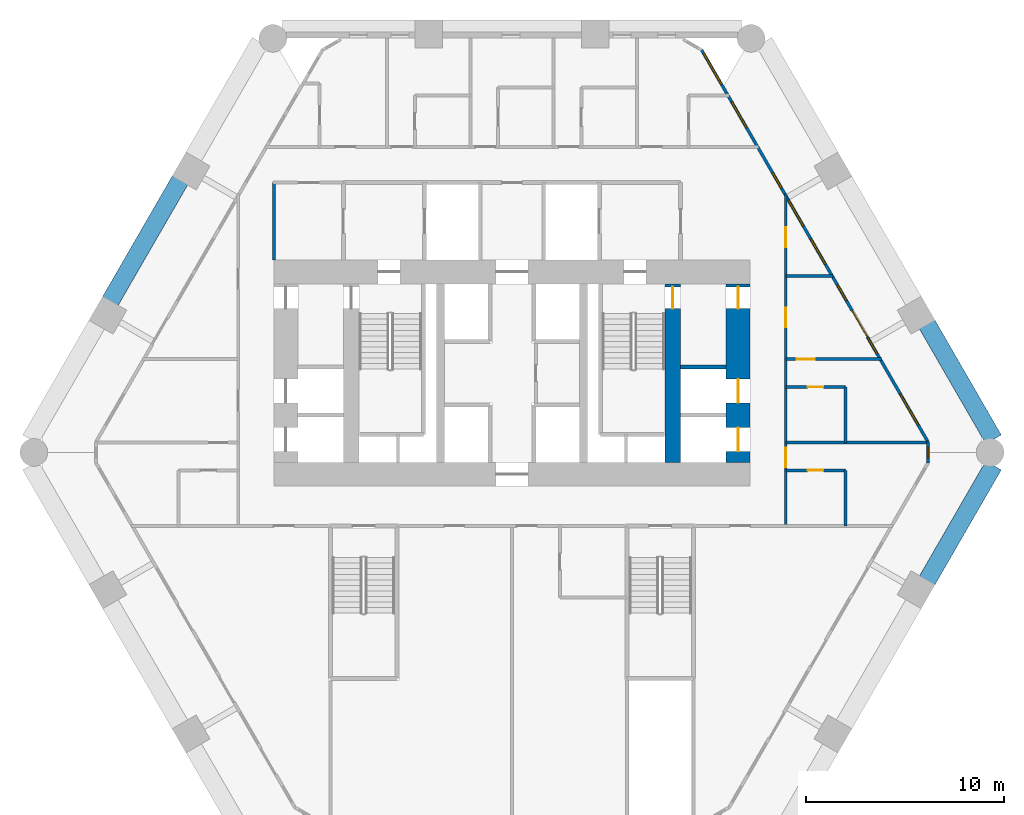
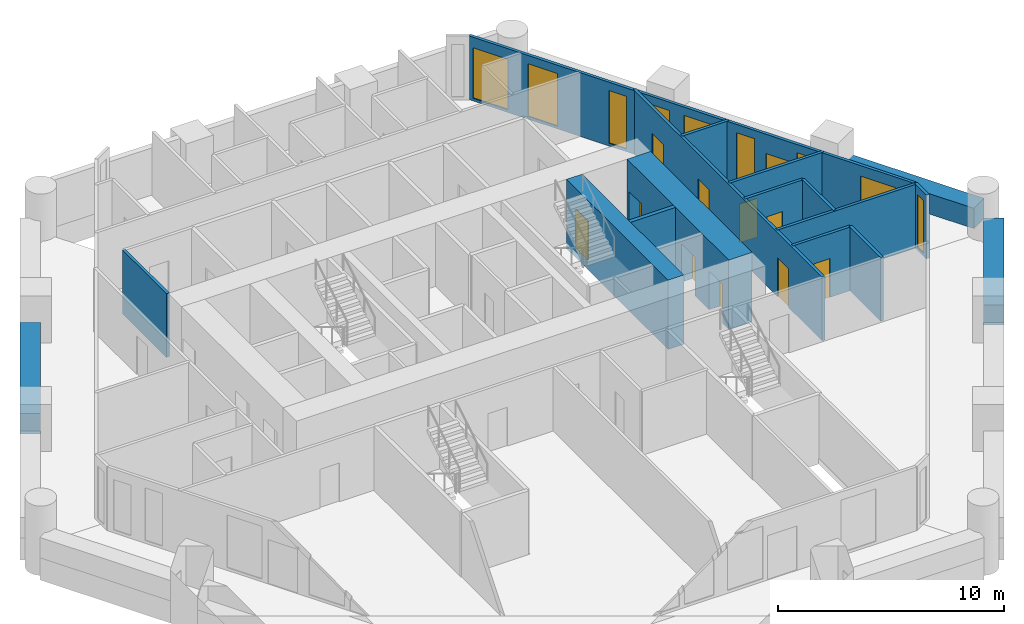
# One storey, part 5 of 8: 17 walls, 11 doors, 9 windows, 20 openings.
"""IFC4 building model written with IfcOpenShell, lengths in metres."""

from ifc_helpers import new_model, si_unit, direction, frame, frame_2d, origin, place, context, subcontext, project, spatial, rectangle, extrude, material, layer, layer_set, type_object, element, fill, save


model = new_model("IFC4")

# Units and contexts
model_context = context("Model", 3, precision=1e-05, world=origin(), true_north=direction((0.0, 1.0)))
body_context = subcontext(model_context, "Body", "Model", "MODEL_VIEW")
ifc_project = project(units=[si_unit("LENGTHUNIT", "METRE"), si_unit("AREAUNIT", "SQUARE_METRE"), si_unit("VOLUMEUNIT", "CUBIC_METRE"), si_unit("PLANEANGLEUNIT", "RADIAN"), si_unit("MASSUNIT", "GRAM", prefix="KILO")], contexts=[model_context])

# Site, building, storey
site_placement = place(None, origin())
site = spatial("IfcSite", under=ifc_project, at=site_placement, CompositionType="ELEMENT")
building_placement = place(site_placement, origin())
building = spatial("IfcBuilding", under=site, at=building_placement, Name="Ostrander Bayou Hotel Tower", CompositionType="ELEMENT")
storey_placement = place(building_placement, frame((0.0, 0.0, 31.75)))
storey = spatial("IfcBuildingStorey", under=building, at=storey_placement, Name="L07", CompositionType="ELEMENT", Elevation=31.75)

# Wall, openings, doors
ifc_material_1 = material(Name="Concrete f'c 70 MPa", Category="concrete")
ifc_layer_1 = layer(ifc_material_1, 1.199951171875)
ifc_layer_set_1 = layer_set([ifc_layer_1], Name="CW1 core wall 1200 mm f'c 70 MPa")
wall_type_1 = type_object("IfcWallType", Name="CW1 core wall 1200 mm f'c 70 MPa", PredefinedType="SHEAR", material=ifc_layer_set_1)
wall_1_placement = place(storey_placement, frame((11.39990234375, -0.5, -0.300048828125), z_axis=(0.0, 0.0, 1.0), x_axis=(0.0, 1.0, 0.0)))
wall_1 = element("IfcWall", 1, at=wall_1_placement, inside=storey, type_object=wall_type_1, Name="CW1 L07 RE", PredefinedType="SHEAR", context=body_context, shape_type="SweptSolid", body=[
    extrude(rectangle(XDim=9.0, YDim=1.199951171875, at=frame_2d((4.5, 0.0))), origin(), (0.0, 0.0, 1.0), 3.75),
])
opening_1_placement = place(wall_1_placement, frame((7.75, 0.0, 0.0)))
opening_1 = element("IfcOpeningElement", 2, at=opening_1_placement, cuts=wall_1, Name="Opening T06-018", PredefinedType="OPENING", context=body_context, shape_type="SweptSolid", body=[
    extrude(rectangle(XDim=1.10009765625, YDim=2.10009765625, at=frame_2d((0.550048828125, 1.050048828125))), frame((0.0, 0.60009765625, 0.0), z_axis=(0.0, -1.0, 0.0), x_axis=(1.0, 0.0, 0.0)), (0.0, 0.0, 1.0), 1.199951171875),
])
opening_2_placement = place(wall_1_placement, frame((0.550048828125, 0.0, 0.0)))
opening_2 = element("IfcOpeningElement", 3, at=opening_2_placement, cuts=wall_1, Name="Opening T06-019", PredefinedType="OPENING", context=body_context, shape_type="SweptSolid", body=[
    extrude(rectangle(XDim=1.199951171875, YDim=2.10009765625, at=frame_2d((0.60009765625, 1.050048828125))), frame((0.0, 0.60009765625, 0.0), z_axis=(0.0, -1.0, 0.0), x_axis=(1.0, 0.0, 0.0)), (0.0, 0.0, 1.0), 1.199951171875),
])
opening_3_placement = place(wall_1_placement, frame((3.0, 0.0, 0.0)))
opening_3 = element("IfcOpeningElement", 4, at=opening_3_placement, cuts=wall_1, Name="Opening T06-020", PredefinedType="OPENING", context=body_context, shape_type="SweptSolid", body=[
    extrude(rectangle(XDim=1.199951171875, YDim=2.10009765625, at=frame_2d((0.60009765625, 1.050048828125))), frame((0.0, 0.60009765625, 0.0), z_axis=(0.0, -1.0, 0.0), x_axis=(1.0, 0.0, 0.0)), (0.0, 0.0, 1.0), 1.199951171875),
])
ifc_material_2 = material(Name="Timber door leaf", Category="wood")
door_type_1 = type_object("IfcDoorType", Name="D5 stair door 1100 x 2100 mm, 90 minute", OperationType="SINGLE_SWING_LEFT", PredefinedType="DOOR", material=ifc_material_2)
door_1_placement = place(opening_1_placement, origin())
door_1 = element("IfcDoor", 5, at=door_1_placement, inside=storey, type_object=door_type_1, Name="dr:L07:018", OperationType="SINGLE_SWING_RIGHT", OverallHeight=2.10009765625, OverallWidth=1.10009765625, PredefinedType="DOOR", context=body_context, shape_type="SweptSolid", body=[
    extrude(rectangle(XDim=1.10009765625, YDim=2.10009765625, at=frame_2d((0.550048828125, 1.050048828125))), frame((0.0, 0.02490234375, 0.0), z_axis=(0.0, -1.0, 0.0), x_axis=(1.0, 0.0, 0.0)), (0.0, 0.0, 1.0), 0.050048828125),
])
fill(opening_1, door_1)
ifc_material_3 = material(Name="Stainless steel sliding door", Category="steel")
door_type_2 = type_object("IfcDoorType", Name="LD1 lift landing door 1200 x 2100 mm", OperationType="SINGLE_SWING_LEFT", PredefinedType="DOOR", material=ifc_material_3)
door_2_placement = place(opening_2_placement, origin())
door_2 = element("IfcDoor", 6, at=door_2_placement, inside=storey, type_object=door_type_2, Name="dr:L07:019", OperationType="SLIDING_TO_LEFT", OverallHeight=2.10009765625, OverallWidth=1.199951171875, PredefinedType="DOOR", context=body_context, shape_type="SweptSolid", body=[
    extrude(rectangle(XDim=1.199951171875, YDim=2.10009765625, at=frame_2d((0.60009765625, 1.050048828125))), frame((0.0, 0.02490234375, 0.0), z_axis=(0.0, -1.0, 0.0), x_axis=(1.0, 0.0, 0.0)), (0.0, 0.0, 1.0), 0.050048828125),
])
fill(opening_2, door_2)
door_3_placement = place(opening_3_placement, origin())
door_3 = element("IfcDoor", 7, at=door_3_placement, inside=storey, type_object=door_type_2, Name="dr:L07:020", OperationType="SLIDING_TO_LEFT", OverallHeight=2.10009765625, OverallWidth=1.199951171875, PredefinedType="DOOR", context=body_context, shape_type="SweptSolid", body=[
    extrude(rectangle(XDim=1.199951171875, YDim=2.10009765625, at=frame_2d((0.60009765625, 1.050048828125))), frame((0.0, 0.02490234375, 0.0), z_axis=(0.0, -1.0, 0.0), x_axis=(1.0, 0.0, 0.0)), (0.0, 0.0, 1.0), 0.050048828125),
])
fill(opening_3, door_3)

# Wall, opening, door
ifc_material_4 = material(Name="Concrete f'c 70 MPa", Category="concrete")
ifc_layer_2 = layer(ifc_material_4, 0.800048828125)
ifc_layer_set_2 = layer_set([ifc_layer_2], Name="CW2 core spine wall 800 mm f'c 70 MPa")
wall_type_2 = type_object("IfcWallType", Name="CW2 core spine wall 800 mm f'c 70 MPa", PredefinedType="SHEAR", material=ifc_layer_set_2)
wall_2_placement = place(storey_placement, frame((8.10009765625, -0.5, -0.300048828125), z_axis=(0.0, 0.0, 1.0), x_axis=(0.0, 1.0, 0.0)))
wall_2 = element("IfcWall", 8, at=wall_2_placement, inside=storey, type_object=wall_type_2, Name="CW2 L07 E", PredefinedType="SHEAR", context=body_context, shape_type="SweptSolid", body=[
    extrude(rectangle(XDim=9.0, YDim=0.800048828125, at=frame_2d((4.5, 0.0))), origin(), (0.0, 0.0, 1.0), 3.75),
])
opening_4_placement = place(wall_2_placement, frame((7.75, 0.0, 0.0)))
opening_4 = element("IfcOpeningElement", 9, at=opening_4_placement, cuts=wall_2, Name="Opening T06-006", PredefinedType="OPENING", context=body_context, shape_type="SweptSolid", body=[
    extrude(rectangle(XDim=1.10009765625, YDim=2.10009765625, at=frame_2d((0.550048828125, 1.050048828125))), frame((0.0, 0.39990234375, 0.0), z_axis=(0.0, -1.0, 0.0), x_axis=(1.0, 0.0, 0.0)), (0.0, 0.0, 1.0), 0.800048828125),
])
door_4_placement = place(opening_4_placement, origin())
door_4 = element("IfcDoor", 10, at=door_4_placement, inside=storey, type_object=door_type_1, Name="dr:L07:006", OperationType="SINGLE_SWING_LEFT", OverallHeight=2.10009765625, OverallWidth=1.10009765625, PredefinedType="DOOR", context=body_context, shape_type="SweptSolid", body=[
    extrude(rectangle(XDim=1.10009765625, YDim=2.10009765625, at=frame_2d((0.550048828125, 1.050048828125))), frame((0.0, 0.02490234375, 0.0), z_axis=(0.0, -1.0, 0.0), x_axis=(1.0, 0.0, 0.0)), (0.0, 0.0, 1.0), 0.050048828125),
])
fill(opening_4, door_4)

# Wall, openings, door, windows
ifc_material_5 = material(Name="Aluminium framed insulated wall", Category="aluminium")
ifc_layer_3 = layer(ifc_material_5, 0.14990234375)
ifc_layer_set_3 = layer_set([ifc_layer_3], Name="GW1 glass-line wall 150 mm")
wall_type_3 = type_object("IfcWallType", Name="GW1 glass-line wall 150 mm", PredefinedType="SOLIDWALL", material=ifc_layer_set_3)
wall_3_placement = place(storey_placement, frame((20.968017578125, 0.532470703125, 0.0), z_axis=(0.0, 0.0, 1.0), x_axis=(-0.500000010132, 0.866025397935, 0.0)))
wall_3 = element("IfcWall", 11, at=wall_3_placement, inside=storey, type_object=wall_type_3, Name="GW1 L07 NE 1", PredefinedType="SOLIDWALL", context=body_context, shape_type="SweptSolid", body=[
    extrude(rectangle(XDim=22.81689453125, YDim=0.14990234375, at=frame_2d((11.408447265625, 0.0))), origin(), (0.0, 0.0, 1.0), 3.449951171875),
])
opening_5_placement = place(wall_3_placement, frame((5.135986328125, 0.0, 0.14990234375)))
opening_5 = element("IfcOpeningElement", 12, at=opening_5_placement, cuts=wall_3, Name="Opening W15", PredefinedType="OPENING", context=body_context, shape_type="SweptSolid", body=[
    extrude(rectangle(XDim=0.89990234375, YDim=2.85009765625, at=frame_2d((0.449951171875, 1.425048828125))), frame((0.0, 0.074951171875, 0.0), z_axis=(0.0, -1.0, 0.0), x_axis=(1.0, 0.0, 0.0)), (0.0, 0.0, 1.0), 0.14990234375),
])
opening_6_placement = place(wall_3_placement, frame((6.122802734375, 0.0, 0.0)))
opening_6 = element("IfcOpeningElement", 13, at=opening_6_placement, cuts=wall_3, Name="Opening T06-808", PredefinedType="OPENING", context=body_context, shape_type="SweptSolid", body=[
    extrude(rectangle(XDim=1.5, YDim=2.39990234375, at=frame_2d((0.75, 1.199951171875))), frame((0.0, 0.074951171875, 0.0), z_axis=(0.0, -1.0, 0.0), x_axis=(1.0, 0.0, 0.0)), (0.0, 0.0, 1.0), 0.14990234375),
])
opening_7_placement = place(wall_3_placement, frame((8.222900390625, 0.0, 0.14990234375)))
opening_7 = element("IfcOpeningElement", 14, at=opening_7_placement, cuts=wall_3, Name="Opening W15", PredefinedType="OPENING", context=body_context, shape_type="SweptSolid", body=[
    extrude(rectangle(XDim=0.89990234375, YDim=2.85009765625, at=frame_2d((0.449951171875, 1.425048828125))), frame((0.0, 0.074951171875, 0.0), z_axis=(0.0, -1.0, 0.0), x_axis=(1.0, 0.0, 0.0)), (0.0, 0.0, 1.0), 0.14990234375),
])
opening_8_placement = place(wall_3_placement, frame((10.32275390625, 0.0, 0.14990234375)))
opening_8 = element("IfcOpeningElement", 15, at=opening_8_placement, cuts=wall_3, Name="Opening W11", PredefinedType="OPENING", context=body_context, shape_type="SweptSolid", body=[
    extrude(rectangle(XDim=1.5, YDim=2.85009765625, at=frame_2d((0.75, 1.425048828125))), frame((0.0, 0.074951171875, 0.0), z_axis=(0.0, -1.0, 0.0), x_axis=(1.0, 0.0, 0.0)), (0.0, 0.0, 1.0), 0.14990234375),
])
opening_9_placement = place(wall_3_placement, frame((14.763916015625, 0.0, 0.14990234375)))
opening_9 = element("IfcOpeningElement", 16, at=opening_9_placement, cuts=wall_3, Name="Opening W15", PredefinedType="OPENING", context=body_context, shape_type="SweptSolid", body=[
    extrude(rectangle(XDim=0.89990234375, YDim=2.85009765625, at=frame_2d((0.449951171875, 1.425048828125))), frame((0.0, 0.074951171875, 0.0), z_axis=(0.0, -1.0, 0.0), x_axis=(1.0, 0.0, 0.0)), (0.0, 0.0, 1.0), 0.14990234375),
])
opening_10_placement = place(wall_3_placement, frame((12.56396484375, 0.0, 0.14990234375)))
opening_10 = element("IfcOpeningElement", 17, at=opening_10_placement, cuts=wall_3, Name="Opening W11", PredefinedType="OPENING", context=body_context, shape_type="SweptSolid", body=[
    extrude(rectangle(XDim=1.5, YDim=2.85009765625, at=frame_2d((0.75, 1.425048828125))), frame((0.0, 0.074951171875, 0.0), z_axis=(0.0, -1.0, 0.0), x_axis=(1.0, 0.0, 0.0)), (0.0, 0.0, 1.0), 0.14990234375),
])
opening_11_placement = place(wall_3_placement, frame((18.293701171875, 0.0, 0.14990234375)))
opening_11 = element("IfcOpeningElement", 18, at=opening_11_placement, cuts=wall_3, Name="Opening W11", PredefinedType="OPENING", context=body_context, shape_type="SweptSolid", body=[
    extrude(rectangle(XDim=1.5, YDim=2.85009765625, at=frame_2d((0.75, 1.425048828125))), frame((0.0, 0.074951171875, 0.0), z_axis=(0.0, -1.0, 0.0), x_axis=(1.0, 0.0, 0.0)), (0.0, 0.0, 1.0), 0.14990234375),
])
opening_12_placement = place(wall_3_placement, frame((0.992919921875, 0.0, 0.14990234375)))
opening_12 = element("IfcOpeningElement", 19, at=opening_12_placement, cuts=wall_3, Name="Opening W1", PredefinedType="OPENING", context=body_context, shape_type="SweptSolid", body=[
    extrude(rectangle(XDim=1.800048828125, YDim=2.72998046875, at=frame_2d((0.89990234375, 1.364990234375))), frame((0.0, 0.074951171875, 0.0), z_axis=(0.0, -1.0, 0.0), x_axis=(1.0, 0.0, 0.0)), (0.0, 0.0, 1.0), 0.14990234375),
])
opening_13_placement = place(wall_3_placement, frame((20.81982421875, 0.0, 0.14990234375)))
opening_13 = element("IfcOpeningElement", 20, at=opening_13_placement, cuts=wall_3, Name="Opening W1", PredefinedType="OPENING", context=body_context, shape_type="SweptSolid", body=[
    extrude(rectangle(XDim=1.800048828125, YDim=2.72998046875, at=frame_2d((0.89990234375, 1.364990234375))), frame((0.0, 0.074951171875, 0.0), z_axis=(0.0, -1.0, 0.0), x_axis=(1.0, 0.0, 0.0)), (0.0, 0.0, 1.0), 0.14990234375),
])
ifc_material_6 = material(Name="Aluminium and clear glass", Category="aluminium")
door_type_3 = type_object("IfcDoorType", Name="SD1 sliding glass door 1500 mm, zone 1", OperationType="SLIDING_TO_LEFT", PredefinedType="DOOR", material=ifc_material_6)
door_5_placement = place(opening_6_placement, origin())
door_5 = element("IfcDoor", 21, at=door_5_placement, inside=storey, type_object=door_type_3, Name="SD1 L07 NE 2", OperationType="SLIDING_TO_RIGHT", OverallHeight=2.39990234375, OverallWidth=1.5, PredefinedType="DOOR", context=body_context, shape_type="SweptSolid", body=[
    extrude(rectangle(XDim=1.5, YDim=2.39990234375, at=frame_2d((0.75, 1.199951171875))), frame((0.0, 0.02490234375, 0.0), z_axis=(0.0, -1.0, 0.0), x_axis=(1.0, 0.0, 0.0)), (0.0, 0.0, 1.0), 0.050048828125),
])
fill(opening_6, door_5)
ifc_material_7 = material(Name="Aluminium and clear glass", Category="aluminium")
window_type_1 = type_object("IfcWindowType", Name="W1 fixed window 1800 mm, zone 1", PartitioningType="SINGLE_PANEL", PredefinedType="WINDOW", material=ifc_material_7)
window_1_placement = place(opening_12_placement, origin())
window_1 = element("IfcWindow", 22, at=window_1_placement, inside=storey, type_object=window_type_1, Name="W1 L07 NE E11", OverallHeight=2.72998046875, OverallWidth=1.800048828125, PartitioningType="SINGLE_PANEL", PredefinedType="WINDOW", context=body_context, shape_type="SweptSolid", body=[
    extrude(rectangle(XDim=1.800048828125, YDim=2.72998046875, at=frame_2d((0.89990234375, 1.364990234375))), frame((0.0, 0.030029296875, 0.0), z_axis=(0.0, -1.0, 0.0), x_axis=(1.0, 0.0, 0.0)), (0.0, 0.0, 1.0), 0.06005859375),
])
fill(opening_12, window_1)
window_2_placement = place(opening_13_placement, origin())
window_2 = element("IfcWindow", 23, at=window_2_placement, inside=storey, type_object=window_type_1, Name="W1 L07 NE E21", OverallHeight=2.72998046875, OverallWidth=1.800048828125, PartitioningType="SINGLE_PANEL", PredefinedType="WINDOW", context=body_context, shape_type="SweptSolid", body=[
    extrude(rectangle(XDim=1.800048828125, YDim=2.72998046875, at=frame_2d((0.89990234375, 1.364990234375))), frame((0.0, 0.030029296875, 0.0), z_axis=(0.0, -1.0, 0.0), x_axis=(1.0, 0.0, 0.0)), (0.0, 0.0, 1.0), 0.06005859375),
])
fill(opening_13, window_2)
ifc_material_8 = material(Name="Aluminium and clear glass", Category="aluminium")
window_type_2 = type_object("IfcWindowType", Name="W11 fixed window 1500 mm, bath bay, zone 1", PartitioningType="SINGLE_PANEL", PredefinedType="WINDOW", material=ifc_material_8)
window_3_placement = place(opening_8_placement, origin())
window_3 = element("IfcWindow", 24, at=window_3_placement, inside=storey, type_object=window_type_2, Name="W11 L07 NE 3", OverallHeight=2.85009765625, OverallWidth=1.5, PartitioningType="SINGLE_PANEL", PredefinedType="WINDOW", context=body_context, shape_type="SweptSolid", body=[
    extrude(rectangle(XDim=1.5, YDim=2.85009765625, at=frame_2d((0.75, 1.425048828125))), frame((0.0, 0.030029296875, 0.0), z_axis=(0.0, -1.0, 0.0), x_axis=(1.0, 0.0, 0.0)), (0.0, 0.0, 1.0), 0.06005859375),
])
fill(opening_8, window_3)
window_4_placement = place(opening_10_placement, origin())
window_4 = element("IfcWindow", 25, at=window_4_placement, inside=storey, type_object=window_type_2, Name="W11 L07 NE 4", OverallHeight=2.85009765625, OverallWidth=1.5, PartitioningType="SINGLE_PANEL", PredefinedType="WINDOW", context=body_context, shape_type="SweptSolid", body=[
    extrude(rectangle(XDim=1.5, YDim=2.85009765625, at=frame_2d((0.75, 1.425048828125))), frame((0.0, 0.030029296875, 0.0), z_axis=(0.0, -1.0, 0.0), x_axis=(1.0, 0.0, 0.0)), (0.0, 0.0, 1.0), 0.06005859375),
])
fill(opening_10, window_4)
window_5_placement = place(opening_11_placement, origin())
window_5 = element("IfcWindow", 26, at=window_5_placement, inside=storey, type_object=window_type_2, Name="W11 L07 NE 5", OverallHeight=2.85009765625, OverallWidth=1.5, PartitioningType="SINGLE_PANEL", PredefinedType="WINDOW", context=body_context, shape_type="SweptSolid", body=[
    extrude(rectangle(XDim=1.5, YDim=2.85009765625, at=frame_2d((0.75, 1.425048828125))), frame((0.0, 0.030029296875, 0.0), z_axis=(0.0, -1.0, 0.0), x_axis=(1.0, 0.0, 0.0)), (0.0, 0.0, 1.0), 0.06005859375),
])
fill(opening_11, window_5)
ifc_material_9 = material(Name="Aluminium and clear glass", Category="aluminium")
window_type_3 = type_object("IfcWindowType", Name="W15 window 900 mm, zone 1", PartitioningType="SINGLE_PANEL", PredefinedType="WINDOW", material=ifc_material_9)
window_6_placement = place(opening_5_placement, origin())
window_6 = element("IfcWindow", 27, at=window_6_placement, inside=storey, type_object=window_type_3, Name="W15 L07 NE 2", OverallHeight=2.85009765625, OverallWidth=0.89990234375, PartitioningType="SINGLE_PANEL", PredefinedType="WINDOW", context=body_context, shape_type="SweptSolid", body=[
    extrude(rectangle(XDim=0.89990234375, YDim=2.85009765625, at=frame_2d((0.449951171875, 1.425048828125))), frame((0.0, 0.030029296875, 0.0), z_axis=(0.0, -1.0, 0.0), x_axis=(1.0, 0.0, 0.0)), (0.0, 0.0, 1.0), 0.06005859375),
])
fill(opening_5, window_6)
window_7_placement = place(opening_7_placement, origin())
window_7 = element("IfcWindow", 28, at=window_7_placement, inside=storey, type_object=window_type_3, Name="W15 L07 NE 3", OverallHeight=2.85009765625, OverallWidth=0.89990234375, PartitioningType="SINGLE_PANEL", PredefinedType="WINDOW", context=body_context, shape_type="SweptSolid", body=[
    extrude(rectangle(XDim=0.89990234375, YDim=2.85009765625, at=frame_2d((0.449951171875, 1.425048828125))), frame((0.0, 0.030029296875, 0.0), z_axis=(0.0, -1.0, 0.0), x_axis=(1.0, 0.0, 0.0)), (0.0, 0.0, 1.0), 0.06005859375),
])
fill(opening_7, window_7)
window_8_placement = place(opening_9_placement, origin())
window_8 = element("IfcWindow", 29, at=window_8_placement, inside=storey, type_object=window_type_3, Name="W15 L07 NE 4", OverallHeight=2.85009765625, OverallWidth=0.89990234375, PartitioningType="SINGLE_PANEL", PredefinedType="WINDOW", context=body_context, shape_type="SweptSolid", body=[
    extrude(rectangle(XDim=0.89990234375, YDim=2.85009765625, at=frame_2d((0.449951171875, 1.425048828125))), frame((0.0, 0.030029296875, 0.0), z_axis=(0.0, -1.0, 0.0), x_axis=(1.0, 0.0, 0.0)), (0.0, 0.0, 1.0), 0.06005859375),
])
fill(opening_9, window_8)

# Wall, opening, window
wall_4_placement = place(storey_placement, frame((20.968017578125, -0.532470703125, 0.0), z_axis=(0.0, 0.0, 1.0), x_axis=(0.0, 1.0, 0.0)))
wall_4 = element("IfcWall", 30, at=wall_4_placement, inside=storey, type_object=wall_type_3, Name="GW1 L07 corner 5", PredefinedType="SOLIDWALL", context=body_context, shape_type="SweptSolid", body=[
    extrude(rectangle(XDim=1.06494140625, YDim=0.14990234375, at=frame_2d((0.532470703125, 0.0))), origin(), (0.0, 0.0, 1.0), 3.449951171875),
])
opening_14_placement = place(wall_4_placement, frame((0.257568359375, 0.0, 0.14990234375)))
opening_14 = element("IfcOpeningElement", 31, at=opening_14_placement, cuts=wall_4, Name="Opening W19", PredefinedType="OPENING", context=body_context, shape_type="SweptSolid", body=[
    extrude(rectangle(XDim=0.550048828125, YDim=2.85009765625, at=frame_2d((0.27490234375, 1.425048828125))), frame((0.0, 0.074951171875, 0.0), z_axis=(0.0, -1.0, 0.0), x_axis=(1.0, 0.0, 0.0)), (0.0, 0.0, 1.0), 0.14990234375),
])
ifc_material_10 = material(Name="Aluminium and clear glass", Category="aluminium")
window_type_4 = type_object("IfcWindowType", Name="W19 corner window 550 mm", PartitioningType="SINGLE_PANEL", PredefinedType="WINDOW", material=ifc_material_10)
window_9_placement = place(opening_14_placement, origin())
window_9 = element("IfcWindow", 32, at=window_9_placement, inside=storey, type_object=window_type_4, Name="W19 L07 corner 5", OverallHeight=2.85009765625, OverallWidth=0.550048828125, PartitioningType="SINGLE_PANEL", PredefinedType="WINDOW", context=body_context, shape_type="SweptSolid", body=[
    extrude(rectangle(XDim=0.550048828125, YDim=2.85009765625, at=frame_2d((0.27490234375, 1.425048828125))), frame((0.0, 0.030029296875, 0.0), z_axis=(0.0, -1.0, 0.0), x_axis=(1.0, 0.0, 0.0)), (0.0, 0.0, 1.0), 0.06005859375),
])
fill(opening_14, window_9)

# Walls
ifc_material_11 = material(Name="Concrete f'c 40 MPa", Category="concrete")
ifc_layer_4 = layer(ifc_material_11, 0.89990234375)
ifc_layer_set_4 = layer_set([ifc_layer_4], Name="PA1 stone-faced parapet 900 mm")
wall_type_4 = type_object("IfcWallType", Name="PA1 stone-faced parapet 900 mm", PredefinedType="PARAPET", material=ifc_layer_set_4)
wall_5_placement = place(storey_placement, frame((-16.726806640625, 13.72802734375, 0.0), z_axis=(0.0, 0.0, 1.0), x_axis=(-0.499997206141, -0.866027016814, 0.0)))
element("IfcWall", 33, at=wall_5_placement, inside=storey, type_object=wall_type_4, Name="PA1 L07 NW-2", PredefinedType="PARAPET", context=body_context, shape_type="SweptSolid", body=[
    extrude(rectangle(XDim=7.05078125, YDim=0.89990234375, at=frame_2d((3.525390625, 0.0))), origin(), (0.0, 0.0, 1.0), 1.10009765625),
])
wall_6_placement = place(storey_placement, frame((24.274169921875, 0.656005859375, 0.0), z_axis=(0.0, 0.0, 1.0), x_axis=(-0.500005133765, 0.866022439784, 0.0)))
element("IfcWall", 34, at=wall_6_placement, inside=storey, type_object=wall_type_4, Name="PA1 L07 NE-1", PredefinedType="PARAPET", context=body_context, shape_type="SweptSolid", body=[
    extrude(rectangle(XDim=6.70361328125, YDim=0.89990234375, at=frame_2d((3.351806640625, 0.0))), origin(), (0.0, 0.0, 1.0), 1.10009765625),
])
ifc_material_12 = material(Name="Limestone masonry", Category="masonry")
ifc_layer_5 = layer(ifc_material_12, 0.89990234375)
ifc_layer_set_5 = layer_set([ifc_layer_5], Name="PA2 limestone parapet 900 mm")
wall_type_5 = type_object("IfcWallType", Name="PA2 limestone parapet 900 mm", PredefinedType="PARAPET", material=ifc_layer_set_5)
wall_7_placement = place(storey_placement, frame((20.92236328125, -6.46142578125, 0.0), z_axis=(0.0, 0.0, 1.0), x_axis=(0.500005133765, 0.866022439784, 0.0)))
element("IfcWall", 35, at=wall_7_placement, inside=storey, type_object=wall_type_5, Name="PA2 L07 SE-3", PredefinedType="PARAPET", context=body_context, shape_type="SweptSolid", body=[
    extrude(rectangle(XDim=6.70361328125, YDim=0.89990234375, at=frame_2d((3.351806640625, 0.0))), origin(), (0.0, 0.0, 1.0), 1.10009765625),
])
ifc_material_13 = material(Name="Masonry block", Category="masonry")
ifc_layer_6 = layer(ifc_material_13, 0.199951171875)
ifc_layer_set_6 = layer_set([ifc_layer_6], Name="PT6 lift shaft wall 200 mm masonry, 2 hour")
wall_type_6 = type_object("IfcWallType", Name="PT6 lift shaft wall 200 mm masonry, 2 hour", PredefinedType="PARTITIONING", material=ifc_layer_set_6)
wall_8_placement = place(storey_placement, frame((8.5, 4.300048828125, 0.0), z_axis=(0.0, 0.0, 1.0), x_axis=(1.0, 0.0, 0.0)))
element("IfcWall", 36, at=wall_8_placement, inside=storey, type_object=wall_type_6, Name="cs:L07:036", PredefinedType="PARTITIONING", context=body_context, shape_type="SweptSolid", body=[
    extrude(rectangle(XDim=2.300048828125, YDim=0.199951171875, at=frame_2d((1.14990234375, 0.0))), origin(), (0.0, 0.0, 1.0), 3.449951171875),
])

# Wall, opening, door
ifc_material_14 = material(Name="Gypsum board partition", Category="finish")
ifc_layer_7 = layer(ifc_material_14, 0.14990234375)
ifc_layer_set_7 = layer_set([ifc_layer_7], Name="PT8 service band wall 150 mm, 1 hour")
wall_type_7 = type_object("IfcWallType", Name="PT8 service band wall 150 mm, 1 hour", PredefinedType="PARTITIONING", material=ifc_layer_set_7)
wall_9_placement = place(storey_placement, frame((13.800048828125, -0.89990234375, 0.0), z_axis=(0.0, 0.0, 1.0), x_axis=(1.0, 0.0, 0.0)))
wall_9 = element("IfcWall", 37, at=wall_9_placement, inside=storey, type_object=wall_type_7, Name="gw:L07:006", PredefinedType="PARTITIONING", context=body_context, shape_type="SweptSolid", body=[
    extrude(rectangle(XDim=3.0, YDim=0.14990234375, at=frame_2d((1.5, 0.0))), origin(), (0.0, 0.0, 1.0), 3.449951171875),
])
opening_15_placement = place(wall_9_placement, frame((1.10009765625, 0.0, 0.0)))
opening_15 = element("IfcOpeningElement", 38, at=opening_15_placement, cuts=wall_9, Name="Opening T06-410", PredefinedType="OPENING", context=body_context, shape_type="SweptSolid", body=[
    extrude(rectangle(XDim=0.800048828125, YDim=2.10009765625, at=frame_2d((0.39990234375, 1.050048828125))), frame((0.0, 0.074951171875, 0.0), z_axis=(0.0, -1.0, 0.0), x_axis=(1.0, 0.0, 0.0)), (0.0, 0.0, 1.0), 0.14990234375),
])
ifc_material_15 = material(Name="Timber door leaf", Category="wood")
door_type_4 = type_object("IfcDoorType", Name="D2 bathroom door 800 x 2100 mm", OperationType="SINGLE_SWING_LEFT", PredefinedType="DOOR", material=ifc_material_15)
door_6_placement = place(opening_15_placement, origin())
door_6 = element("IfcDoor", 39, at=door_6_placement, inside=storey, type_object=door_type_4, Name="dr:L07:410", OperationType="SINGLE_SWING_LEFT", OverallHeight=2.10009765625, OverallWidth=0.800048828125, PredefinedType="DOOR", context=body_context, shape_type="SweptSolid", body=[
    extrude(rectangle(XDim=0.800048828125, YDim=2.10009765625, at=frame_2d((0.39990234375, 1.050048828125))), frame((0.0, 0.02490234375, 0.0), z_axis=(0.0, -1.0, 0.0), x_axis=(1.0, 0.0, 0.0)), (0.0, 0.0, 1.0), 0.050048828125),
])
fill(opening_15, door_6)

# Wall
wall_10_placement = place(storey_placement, frame((13.800048828125, 0.5, 0.0), z_axis=(0.0, 0.0, 1.0), x_axis=(1.0, 0.0, 0.0)))
element("IfcWall", 40, at=wall_10_placement, inside=storey, type_object=wall_type_7, Name="gw:L07:008", PredefinedType="PARTITIONING", context=body_context, shape_type="SweptSolid", body=[
    extrude(rectangle(XDim=7.18603515625, YDim=0.14990234375, at=frame_2d((3.593017578125, 0.0))), origin(), (0.0, 0.0, 1.0), 3.449951171875),
])

# Wall, opening, door
wall_11_placement = place(storey_placement, frame((13.800048828125, 3.300048828125, 0.0), z_axis=(0.0, 0.0, 1.0), x_axis=(1.0, 0.0, 0.0)))
wall_11 = element("IfcWall", 41, at=wall_11_placement, inside=storey, type_object=wall_type_7, Name="gw:L07:009", PredefinedType="PARTITIONING", context=body_context, shape_type="SweptSolid", body=[
    extrude(rectangle(XDim=3.0, YDim=0.14990234375, at=frame_2d((1.5, 0.0))), origin(), (0.0, 0.0, 1.0), 3.449951171875),
])
opening_16_placement = place(wall_11_placement, frame((1.10009765625, 0.0, 0.0)))
opening_16 = element("IfcOpeningElement", 42, at=opening_16_placement, cuts=wall_11, Name="Opening T06-413", PredefinedType="OPENING", context=body_context, shape_type="SweptSolid", body=[
    extrude(rectangle(XDim=0.800048828125, YDim=2.10009765625, at=frame_2d((0.39990234375, 1.050048828125))), frame((0.0, 0.074951171875, 0.0), z_axis=(0.0, -1.0, 0.0), x_axis=(1.0, 0.0, 0.0)), (0.0, 0.0, 1.0), 0.14990234375),
])
door_7_placement = place(opening_16_placement, origin())
door_7 = element("IfcDoor", 43, at=door_7_placement, inside=storey, type_object=door_type_4, Name="dr:L07:413", OperationType="SINGLE_SWING_LEFT", OverallHeight=2.10009765625, OverallWidth=0.800048828125, PredefinedType="DOOR", context=body_context, shape_type="SweptSolid", body=[
    extrude(rectangle(XDim=0.800048828125, YDim=2.10009765625, at=frame_2d((0.39990234375, 1.050048828125))), frame((0.0, 0.02490234375, 0.0), z_axis=(0.0, -1.0, 0.0), x_axis=(1.0, 0.0, 0.0)), (0.0, 0.0, 1.0), 0.050048828125),
])
fill(opening_16, door_7)

wall_12_placement = place(storey_placement, frame((13.800048828125, 4.699951171875, 0.0), z_axis=(0.0, 0.0, 1.0), x_axis=(1.0, 0.0, 0.0)))
wall_12 = element("IfcWall", 44, at=wall_12_placement, inside=storey, type_object=wall_type_7, Name="gw:L07:011", PredefinedType="PARTITIONING", context=body_context, shape_type="SweptSolid", body=[
    extrude(rectangle(XDim=4.81396484375, YDim=0.14990234375, at=frame_2d((2.406982421875, 0.0))), origin(), (0.0, 0.0, 1.0), 3.449951171875),
])
opening_17_placement = place(wall_12_placement, frame((0.550048828125, 0.0, 0.0)))
opening_17 = element("IfcOpeningElement", 45, at=opening_17_placement, cuts=wall_12, Name="Opening T06-412", PredefinedType="OPENING", context=body_context, shape_type="SweptSolid", body=[
    extrude(rectangle(XDim=0.89990234375, YDim=2.10009765625, at=frame_2d((0.449951171875, 1.050048828125))), frame((0.0, 0.074951171875, 0.0), z_axis=(0.0, -1.0, 0.0), x_axis=(1.0, 0.0, 0.0)), (0.0, 0.0, 1.0), 0.14990234375),
])
ifc_material_16 = material(Name="Timber door leaf", Category="wood")
door_type_5 = type_object("IfcDoorType", Name="D8 room door 900 x 2100 mm", OperationType="SINGLE_SWING_LEFT", PredefinedType="DOOR", material=ifc_material_16)
door_8_placement = place(opening_17_placement, origin())
door_8 = element("IfcDoor", 46, at=door_8_placement, inside=storey, type_object=door_type_5, Name="dr:L07:412", OperationType="SINGLE_SWING_LEFT", OverallHeight=2.10009765625, OverallWidth=0.89990234375, PredefinedType="DOOR", context=body_context, shape_type="SweptSolid", body=[
    extrude(rectangle(XDim=0.89990234375, YDim=2.10009765625, at=frame_2d((0.449951171875, 1.050048828125))), frame((0.0, 0.02490234375, 0.0), z_axis=(0.0, -1.0, 0.0), x_axis=(1.0, 0.0, 0.0)), (0.0, 0.0, 1.0), 0.050048828125),
])
fill(opening_17, door_8)

# Walls
wall_13_placement = place(storey_placement, frame((13.800048828125, 8.89990234375, 0.0), z_axis=(0.0, 0.0, 1.0), x_axis=(1.0, 0.0, 0.0)))
element("IfcWall", 47, at=wall_13_placement, inside=storey, type_object=wall_type_7, Name="gw:L07:012", PredefinedType="PARTITIONING", context=body_context, shape_type="SweptSolid", body=[
    extrude(rectangle(XDim=2.388916015625, YDim=0.14990234375, at=frame_2d((1.1943359375, 0.0))), origin(), (0.0, 0.0, 1.0), 3.449951171875),
])
for number, where, z_axis, x_axis, name in (
    (48, (16.800048828125, -3.699951171875, 0.0), (0.0, 0.0, 1.0), (0.0, 1.0, 0.0), "gw:L07:020"),
    (49, (16.800048828125, 0.5, 0.0), (0.0, 0.0, 1.0), (0.0, 1.0, 0.0), "gw:L07:021"),
):
    element("IfcWall", number, at=place(storey_placement, frame(where, z_axis=z_axis, x_axis=x_axis)), inside=storey, type_object=wall_type_7, Name=name, PredefinedType="PARTITIONING", context=body_context, shape_type="SweptSolid", body=[
        extrude(rectangle(XDim=2.800048828125, YDim=0.14990234375, at=frame_2d((1.39990234375, 0.0))), origin(), (0.0, 0.0, 1.0), 3.449951171875),
    ])

# Wall, openings, doors
wall_14_placement = place(storey_placement, frame((13.800048828125, -3.699951171875, 0.0), z_axis=(0.0, 0.0, 1.0), x_axis=(0.0, 1.0, 0.0)))
wall_14 = element("IfcWall", 50, at=wall_14_placement, inside=storey, type_object=wall_type_7, Name="gw:L07:022", PredefinedType="PARTITIONING", context=body_context, shape_type="SweptSolid", body=[
    extrude(rectangle(XDim=16.738037109375, YDim=0.14990234375, at=frame_2d((8.369140625, 0.0))), origin(), (0.0, 0.0, 1.0), 3.449951171875),
])
opening_18_placement = place(wall_14_placement, frame((2.949951171875, 0.0, 0.0)))
opening_18 = element("IfcOpeningElement", 51, at=opening_18_placement, cuts=wall_14, Name="Opening T06-409", PredefinedType="OPENING", context=body_context, shape_type="SweptSolid", body=[
    extrude(rectangle(XDim=1.0, YDim=2.10009765625, at=frame_2d((0.5, 1.050048828125))), frame((0.0, 0.074951171875, 0.0), z_axis=(0.0, -1.0, 0.0), x_axis=(1.0, 0.0, 0.0)), (0.0, 0.0, 1.0), 0.14990234375),
])
opening_19_placement = place(wall_14_placement, frame((10.0, 0.0, 0.0)))
opening_19 = element("IfcOpeningElement", 52, at=opening_19_placement, cuts=wall_14, Name="Opening T06-411", PredefinedType="OPENING", context=body_context, shape_type="SweptSolid", body=[
    extrude(rectangle(XDim=1.0, YDim=2.10009765625, at=frame_2d((0.5, 1.050048828125))), frame((0.0, 0.074951171875, 0.0), z_axis=(0.0, -1.0, 0.0), x_axis=(1.0, 0.0, 0.0)), (0.0, 0.0, 1.0), 0.14990234375),
])
opening_20_placement = place(wall_14_placement, frame((14.047119140625, 0.0, 0.0)))
opening_20 = element("IfcOpeningElement", 53, at=opening_20_placement, cuts=wall_14, Name="Opening T06-414", PredefinedType="OPENING", context=body_context, shape_type="SweptSolid", body=[
    extrude(rectangle(XDim=1.0, YDim=2.10009765625, at=frame_2d((0.5, 1.050048828125))), frame((0.0, 0.074951171875, 0.0), z_axis=(0.0, -1.0, 0.0), x_axis=(1.0, 0.0, 0.0)), (0.0, 0.0, 1.0), 0.14990234375),
])
ifc_material_17 = material(Name="Timber door leaf", Category="wood")
door_type_6 = type_object("IfcDoorType", Name="D1 guest room door 1000 x 2100 mm, 30 minute", OperationType="SINGLE_SWING_LEFT", PredefinedType="DOOR", material=ifc_material_17)
door_9_placement = place(opening_18_placement, origin())
door_9 = element("IfcDoor", 54, at=door_9_placement, inside=storey, type_object=door_type_6, Name="dr:L07:409", OperationType="SINGLE_SWING_RIGHT", OverallHeight=2.10009765625, OverallWidth=1.0, PredefinedType="DOOR", context=body_context, shape_type="SweptSolid", body=[
    extrude(rectangle(XDim=1.0, YDim=2.10009765625, at=frame_2d((0.5, 1.050048828125))), frame((0.0, 0.02490234375, 0.0), z_axis=(0.0, -1.0, 0.0), x_axis=(1.0, 0.0, 0.0)), (0.0, 0.0, 1.0), 0.050048828125),
])
fill(opening_18, door_9)
door_10_placement = place(opening_19_placement, origin())
door_10 = element("IfcDoor", 55, at=door_10_placement, inside=storey, type_object=door_type_6, Name="dr:L07:411", OperationType="SINGLE_SWING_RIGHT", OverallHeight=2.10009765625, OverallWidth=1.0, PredefinedType="DOOR", context=body_context, shape_type="SweptSolid", body=[
    extrude(rectangle(XDim=1.0, YDim=2.10009765625, at=frame_2d((0.5, 1.050048828125))), frame((0.0, 0.02490234375, 0.0), z_axis=(0.0, -1.0, 0.0), x_axis=(1.0, 0.0, 0.0)), (0.0, 0.0, 1.0), 0.050048828125),
])
fill(opening_19, door_10)
ifc_material_18 = material(Name="Timber door leaf", Category="wood")
door_type_7 = type_object("IfcDoorType", Name="D9 service door 1000 x 2100 mm, 30 minute", OperationType="SINGLE_SWING_LEFT", PredefinedType="DOOR", material=ifc_material_18)
door_11_placement = place(opening_20_placement, origin())
door_11 = element("IfcDoor", 56, at=door_11_placement, inside=storey, type_object=door_type_7, Name="dr:L07:414", OperationType="SINGLE_SWING_LEFT", OverallHeight=2.10009765625, OverallWidth=1.0, PredefinedType="DOOR", context=body_context, shape_type="SweptSolid", body=[
    extrude(rectangle(XDim=1.0, YDim=2.10009765625, at=frame_2d((0.5, 1.050048828125))), frame((0.0, 0.02490234375, 0.0), z_axis=(0.0, -1.0, 0.0), x_axis=(1.0, 0.0, 0.0)), (0.0, 0.0, 1.0), 0.050048828125),
])
fill(opening_20, door_11)

# Wall
wall_15_placement = place(storey_placement, frame((-12.0, 9.7099609375, 0.0), z_axis=(0.0, 0.0, 1.0), x_axis=(0.0, 1.0, 0.0)))
element("IfcWall", 57, at=wall_15_placement, inside=storey, type_object=wall_type_7, Name="gw:L07:037", PredefinedType="PARTITIONING", context=body_context, shape_type="SweptSolid", body=[
    extrude(rectangle(XDim=3.89013671875, YDim=0.14990234375, at=frame_2d((1.945068359375, 0.0))), origin(), (0.0, 0.0, 1.0), 3.449951171875),
])

save(model, "model.ifc")
